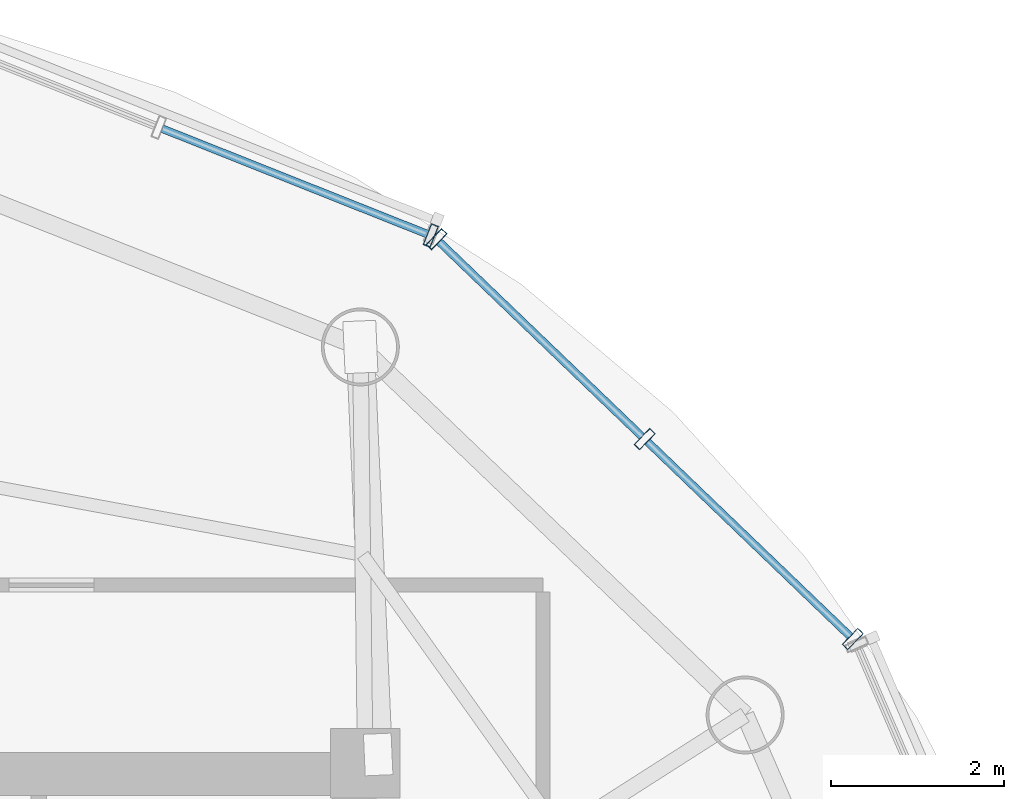
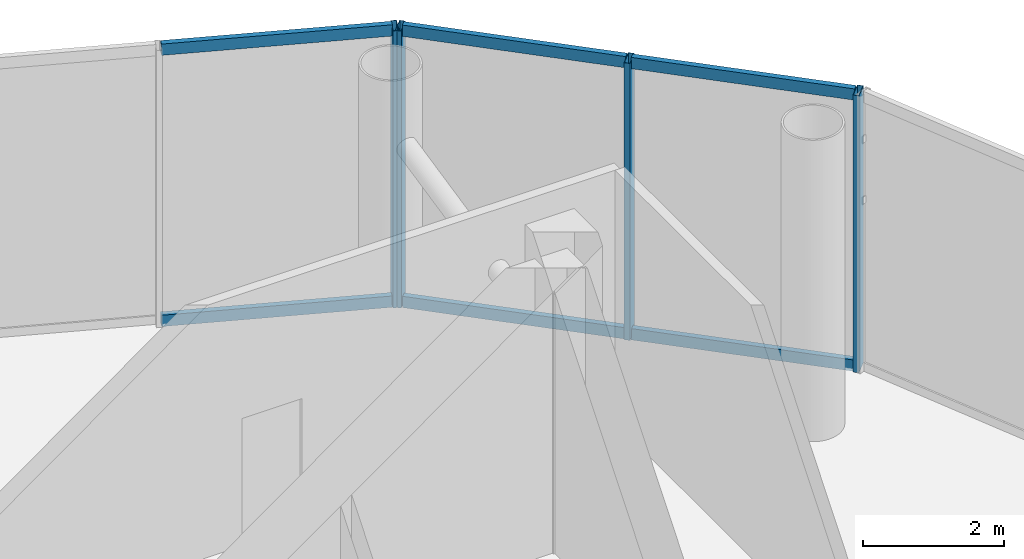
# One storey, part 8 of 15: 10 members, 2 elements without a shape of their own.
"""IFC4 building model written with IfcOpenShell, lengths in metres."""

from ifc_helpers import new_model, si_unit, direction, frame, origin, origin_2d, place, context, subcontext, project, spatial, hollow_rectangle, extrude, source, transform, mapped, material, material_profile, profile_set, type_object, element, aggregate, save


model = new_model("IFC4")

# Units and contexts
model_context = context("Model", 3, precision=1e-05, world=origin(), true_north=direction((-0.2419218956, 0.970295726276)))
body_context = subcontext(model_context, "Body", "Model", "MODEL_VIEW")
ifc_project = project(units=[si_unit("LENGTHUNIT", "METRE"), si_unit("AREAUNIT", "SQUARE_METRE"), si_unit("VOLUMEUNIT", "CUBIC_METRE"), si_unit("PLANEANGLEUNIT", "RADIAN"), si_unit("MASSUNIT", "GRAM", prefix="KILO")], contexts=[model_context])

# Site, building, storey
site_placement = place(None, origin())
site = spatial("IfcSite", under=ifc_project, at=site_placement, CompositionType="ELEMENT")
building_placement = place(site_placement, origin())
building = spatial("IfcBuilding", under=site, at=building_placement, Name="Cobrevalo Terracotta Tower", CompositionType="ELEMENT")
storey_placement = place(building_placement, frame((0.0, 0.0, 311.300048828125)))
storey = spatial("IfcBuildingStorey", under=building, at=storey_placement, Name="L81", CompositionType="ELEMENT", Elevation=311.300048828125)

# Curtain wall, members
ifc_material = material(Name="Anodized aluminium", Category="aluminium")
curtain_wall_type = type_object("IfcCurtainWallType", Name="Faceted glass-point crown structural glazing system CW-CR", PredefinedType="NOTDEFINED", material=ifc_material)
curtain_wall_1_placement = place(storey_placement, origin())
curtain_wall_1 = element("IfcCurtainWall", 1, at=curtain_wall_1_placement, inside=storey, type_object=curtain_wall_type, Name="L81 curtain wall CW-CRN-L81-S02", PredefinedType="NOTDEFINED")
ifc_material_profile_1 = material_profile(ifc_material, hollow_rectangle(XDim=0.090087890625, YDim=0.195068359375, WallThickness=0.005615234375, at=origin_2d()), Name="CWT 90x195")
ifc_profile_set_1 = profile_set([ifc_material_profile_1], Name="Anodized aluminium")
member_type_1 = type_object("IfcMemberType", Name="Crown structural aluminium transom 90x195", PredefinedType="USERDEFINED", material=ifc_profile_set_1)
shared_shape_1 = source(origin(), body_context, "Body", "SweptSolid", [
    extrude(hollow_rectangle(XDim=0.090087890625, YDim=0.195068359375, WallThickness=0.005615234375, at=origin_2d()), origin(), (0.0, 0.0, 1.0), 3.251953125),
])
member_1_placement = place(storey_placement, frame((52.60107421875, 36.26123046875, 0.050048828125), z_axis=(-0.721264285966, 0.692659966932, 0.0), x_axis=(-0.692659966932, -0.721264285966, 0.0)))
member_1 = element("IfcMember", 2, at=member_1_placement, type_object=member_type_1, Name="CW-CRN-L81-S02 transom B01-T1", ObjectType="TRANSOM", PredefinedType="USERDEFINED", context=body_context, shape_type="MappedRepresentation", body=[
    mapped(shared_shape_1, transform((0.0, 0.0, 0.0), scale=1.0)),
])
member_2_placement = place(storey_placement, frame((52.60107421875, 36.26123046875, 4.72998046875), z_axis=(-0.721264285966, 0.692659966932, 0.0), x_axis=(-0.692659966932, -0.721264285966, 0.0)))
member_2 = element("IfcMember", 3, at=member_2_placement, type_object=member_type_1, Name="CW-CRN-L81-S02 transom B01-T2", ObjectType="TRANSOM", PredefinedType="USERDEFINED", context=body_context, shape_type="MappedRepresentation", body=[
    mapped(shared_shape_1, transform((0.0, 0.0, 0.0), scale=1.0)),
])
member_3_placement = place(storey_placement, frame((50.197998046875, 38.569091796875, 0.050048828125), z_axis=(-0.721337809763, 0.692583398737, 0.0), x_axis=(-0.692583398737, -0.721337809763, 0.0)))
member_3 = element("IfcMember", 4, at=member_3_placement, type_object=member_type_1, Name="CW-CRN-L81-S02 transom B02-T1", ObjectType="TRANSOM", PredefinedType="USERDEFINED", context=body_context, shape_type="MappedRepresentation", body=[
    mapped(shared_shape_1, transform((0.0, 0.0, 0.0), scale=1.0)),
])
member_4_placement = place(storey_placement, frame((50.197998046875, 38.569091796875, 4.72998046875), z_axis=(-0.721337809763, 0.692583398737, 0.0), x_axis=(-0.692583398737, -0.721337809763, 0.0)))
member_4 = element("IfcMember", 5, at=member_4_placement, type_object=member_type_1, Name="CW-CRN-L81-S02 transom B02-T2", ObjectType="TRANSOM", PredefinedType="USERDEFINED", context=body_context, shape_type="MappedRepresentation", body=[
    mapped(shared_shape_1, transform((0.0, 0.0, 0.0), scale=1.0)),
])

curtain_wall_2_placement = place(storey_placement, origin())
curtain_wall_2 = element("IfcCurtainWall", 6, at=curtain_wall_2_placement, inside=storey, type_object=curtain_wall_type, Name="L81 curtain wall CW-CRN-L81-S03", PredefinedType="NOTDEFINED")
shared_shape_2 = source(origin(), body_context, "Body", "SweptSolid", [
    extrude(hollow_rectangle(XDim=0.090087890625, YDim=0.195068359375, WallThickness=0.005615234375, at=origin_2d()), origin(), (0.0, 0.0, 1.0), 3.2998046875),
])
member_5_placement = place(storey_placement, frame((47.720458984375, 40.90625, 0.050048828125), z_axis=(-0.92917915641, 0.369629673177, 0.0), x_axis=(-0.369629673177, -0.92917915641, 0.0)))
member_5 = element("IfcMember", 7, at=member_5_placement, type_object=member_type_1, Name="CW-CRN-L81-S03 transom B01-T1", ObjectType="TRANSOM", PredefinedType="USERDEFINED", context=body_context, shape_type="MappedRepresentation", body=[
    mapped(shared_shape_2, transform((0.0, 0.0, 0.0), scale=1.0)),
])
member_6_placement = place(storey_placement, frame((47.720458984375, 40.90625, 4.72998046875), z_axis=(-0.92917915641, 0.369629673177, 0.0), x_axis=(-0.369629673177, -0.92917915641, 0.0)))
member_6 = element("IfcMember", 8, at=member_6_placement, type_object=member_type_1, Name="CW-CRN-L81-S03 transom B01-T2", ObjectType="TRANSOM", PredefinedType="USERDEFINED", context=body_context, shape_type="MappedRepresentation", body=[
    mapped(shared_shape_2, transform((0.0, 0.0, 0.0), scale=1.0)),
])

# Member
ifc_material_profile_2 = material_profile(ifc_material, hollow_rectangle(XDim=0.090087890625, YDim=0.260009765625, WallThickness=0.006103515625, at=origin_2d()), Name="CWM 90x260")
ifc_profile_set_2 = profile_set([ifc_material_profile_2], Name="Anodized aluminium")
member_type_2 = type_object("IfcMemberType", Name="Crown structural glass mullion 90x260", PredefinedType="MULLION", material=ifc_profile_set_2)
shared_shape_3 = source(origin(), body_context, "Body", "SweptSolid", [
    extrude(hollow_rectangle(XDim=0.090087890625, YDim=0.260009765625, WallThickness=0.006103515625, at=origin_2d()), origin(), (0.0, 0.0, 1.0), 4.780029296875),
])
member_7_placement = place(storey_placement, frame((52.6298828125, 36.2333984375, 0.0), z_axis=(0.0, 0.0, 1.0), x_axis=(-0.721276845158, 0.692646888854, 0.0)))
member_7 = element("IfcMember", 9, at=member_7_placement, type_object=member_type_2, Name="CW-CRN-L81-S02 vertical mullion 01", PredefinedType="MULLION", context=body_context, shape_type="MappedRepresentation", body=[
    mapped(shared_shape_3, transform((0.0, 0.0, 0.0), scale=1.0)),
])

member_8_placement = place(storey_placement, frame((50.226806640625, 38.541259765625, 0.0), z_axis=(0.0, 0.0, 1.0), x_axis=(-0.721276845158, 0.692646888854, 0.0)))
member_8 = element("IfcMember", 10, at=member_8_placement, type_object=member_type_2, Name="CW-CRN-L81-S02 vertical mullion 02", PredefinedType="MULLION", context=body_context, shape_type="MappedRepresentation", body=[
    mapped(shared_shape_3, transform((0.0, 0.0, 0.0), scale=1.0)),
])

member_9_placement = place(storey_placement, frame((47.823486328125, 40.84912109375, 0.0), z_axis=(0.0, 0.0, 1.0), x_axis=(-0.721276845158, 0.692646888854, 0.0)))
member_9 = element("IfcMember", 11, at=member_9_placement, type_object=member_type_2, Name="CW-CRN-L81-S02 vertical mullion 03", PredefinedType="MULLION", context=body_context, shape_type="MappedRepresentation", body=[
    mapped(shared_shape_3, transform((0.0, 0.0, 0.0), scale=1.0)),
])

aggregate(curtain_wall_1, [member_7, member_8, member_9, member_1, member_2, member_3, member_4])

member_10_placement = place(storey_placement, frame((47.757568359375, 40.8916015625, 0.0), z_axis=(0.0, 0.0, 1.0), x_axis=(-0.929190639756, 0.36960080491, 0.0)))
member_10 = element("IfcMember", 12, at=member_10_placement, type_object=member_type_2, Name="CW-CRN-L81-S03 vertical mullion 01", PredefinedType="MULLION", context=body_context, shape_type="MappedRepresentation", body=[
    mapped(shared_shape_3, transform((0.0, 0.0, 0.0), scale=1.0)),
])

aggregate(curtain_wall_2, [member_10, member_5, member_6])

save(model, "model.ifc")
